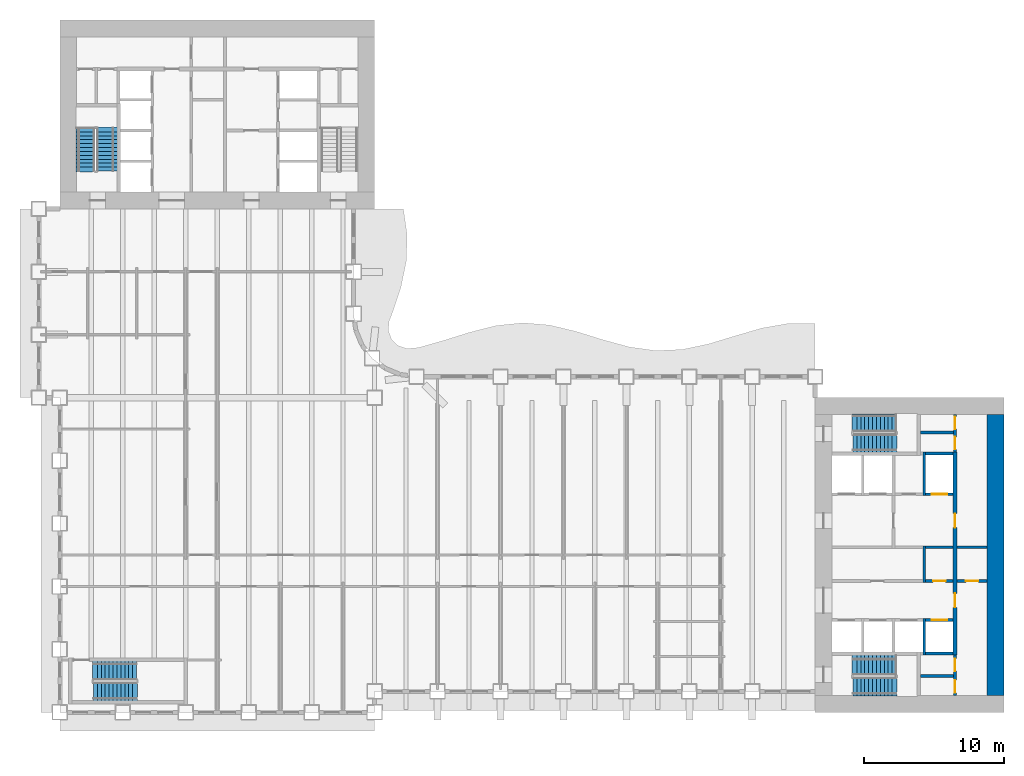
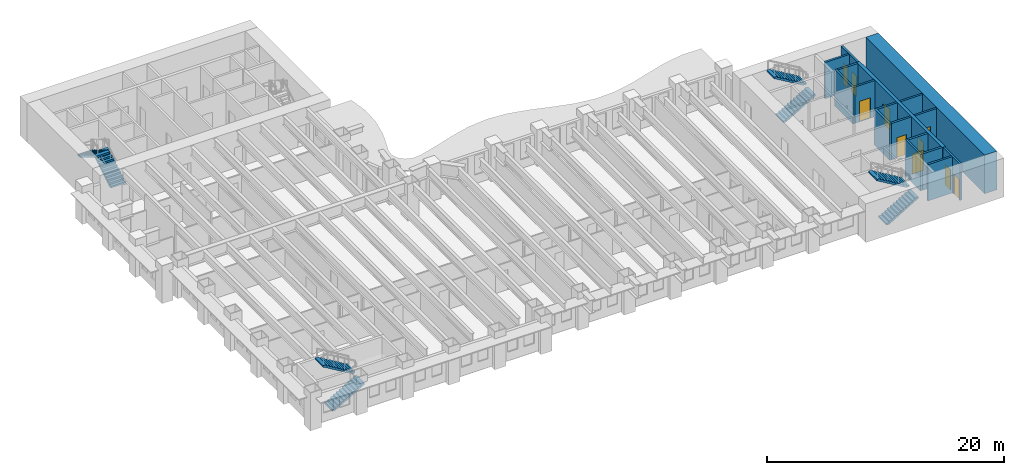
# One storey, part 9 of 16: 17 walls, 10 doors, 8 stair flights, 10 openings, 4 elements without a shape of their own.
"""IFC4 building model written with IfcOpenShell, lengths in metres."""

from ifc_helpers import new_model, si_unit, direction, frame, frame_2d, origin, place, context, subcontext, project, spatial, polyline, rectangle, outline, extrude, material, layer, layer_set, type_object, element, fill, aggregate, save


model = new_model("IFC4")

# Units and contexts
model_context = context("Model", 3, precision=1e-05, world=origin(), true_north=direction((0.0, 1.0)))
body_context = subcontext(model_context, "Body", "Model", "MODEL_VIEW")
ifc_project = project(units=[si_unit("LENGTHUNIT", "METRE"), si_unit("AREAUNIT", "SQUARE_METRE"), si_unit("VOLUMEUNIT", "CUBIC_METRE"), si_unit("PLANEANGLEUNIT", "RADIAN"), si_unit("MASSUNIT", "GRAM", prefix="KILO")], contexts=[model_context])

# Site, building, storey
site_placement = place(None, origin())
site = spatial("IfcSite", under=ifc_project, at=site_placement, CompositionType="ELEMENT")
building_placement = place(site_placement, origin())
building = spatial("IfcBuilding", under=site, at=building_placement, Name="Sennacour Bend Tower", CompositionType="ELEMENT")
storey_placement = place(building_placement, frame((0.0, 0.0, 73.0)))
storey = spatial("IfcBuildingStorey", under=building, at=storey_placement, Name="L16", CompositionType="ELEMENT", Elevation=73.0)

# Walls
ifc_material_1 = material(Name="Concrete C80/95", Category="concrete")
ifc_layer_1 = layer(ifc_material_1, 1.199951171875, Name="Concrete C80/95", Category="concrete")
ifc_layer_set_1 = layer_set([ifc_layer_1], Name="Concrete C80/95")
wall_type_1 = type_object("IfcWallType", Name="Core wall 1200 C80/95", PredefinedType="SHEAR", material=ifc_layer_set_1)
wall_1_placement = place(storey_placement, frame((66.89990234375, 1.199951171875, -0.14990234375), z_axis=(0.0, 0.0, 1.0), x_axis=(0.0, 1.0, 0.0)))
element("IfcWall", 1, at=wall_1_placement, inside=storey, type_object=wall_type_1, Name="Core A wall L16 E", PredefinedType="SHEAR", context=body_context, shape_type="SweptSolid", body=[
    extrude(rectangle(XDim=20.10009765625, YDim=1.199951171875, at=frame_2d((10.050048828125, 0.0))), origin(), (0.0, 0.0, 1.0), 4.0),
])
ifc_material_2 = material(Name="Fire-rated plasterboard partition on steel studs", Category="steel")
ifc_layer_2 = layer(ifc_material_2, 0.199951171875, Name="Fire-rated plasterboard partition on steel studs", Category="steel")
ifc_layer_set_2 = layer_set([ifc_layer_2], Name="Fire-rated plasterboard partition on steel studs")
wall_type_2 = type_object("IfcWallType", Name="Rated partition 200", PredefinedType="PARTITIONING", material=ifc_layer_set_2)
wall_2_placement = place(storey_placement, frame((61.800048828125, 9.300048828125, 0.0), z_axis=(0.0, 0.0, 1.0), x_axis=(0.0, 1.0, 0.0)))
element("IfcWall", 2, at=wall_2_placement, inside=storey, type_object=wall_type_2, Name="P-L16-W044", PredefinedType="PARTITIONING", context=body_context, shape_type="SweptSolid", body=[
    extrude(rectangle(XDim=2.599853515625, YDim=0.199951171875, at=frame_2d((1.2998046875, 0.0))), origin(), (0.0, 0.0, 1.0), 3.75),
])

# Wall, openings, doors
wall_3_placement = place(storey_placement, frame((64.0, 1.199951171875, 0.0), z_axis=(0.0, 0.0, 1.0), x_axis=(0.0, 1.0, 0.0)))
wall_3 = element("IfcWall", 3, at=wall_3_placement, inside=storey, type_object=wall_type_2, Name="P-L16-W046", PredefinedType="PARTITIONING", context=body_context, shape_type="SweptSolid", body=[
    extrude(rectangle(XDim=2.900146484375, YDim=0.199951171875, at=frame_2d((1.4501953125, 0.0))), origin(), (0.0, 0.0, 1.0), 3.75),
])
opening_1_placement = place(wall_3_placement, frame((0.199951171875, 0.0, 0.0)))
opening_1 = element("IfcOpeningElement", 4, at=opening_1_placement, cuts=wall_3, Name="Opening SV", PredefinedType="OPENING", context=body_context, shape_type="SweptSolid", body=[
    extrude(rectangle(XDim=0.89990234375, YDim=2.10009765625, at=frame_2d((0.449951171875, 1.050048828125))), frame((0.0, 0.10986328125, 0.0), z_axis=(0.0, -1.0, 0.0), x_axis=(1.0, 0.0, 0.0)), (0.0, 0.0, 1.0), 0.219970703125),
])
opening_2_placement = place(wall_3_placement, frame((1.75, 0.0, 0.0)))
opening_2 = element("IfcOpeningElement", 5, at=opening_2_placement, cuts=wall_3, Name="Opening WD", PredefinedType="OPENING", context=body_context, shape_type="SweptSolid", body=[
    extrude(rectangle(XDim=0.89990234375, YDim=2.10009765625, at=frame_2d((0.449951171875, 1.050048828125))), frame((0.0, 0.10986328125, 0.0), z_axis=(0.0, -1.0, 0.0), x_axis=(1.0, 0.0, 0.0)), (0.0, 0.0, 1.0), 0.219970703125),
])
ifc_material_3 = material(Name="Painted steel", Category="steel")
door_type_1 = type_object("IfcDoorType", Name="DR-SERVICE-900", OperationType="NOTDEFINED", PredefinedType="DOOR", material=ifc_material_3)
door_1_placement = place(opening_1_placement, origin())
door_1 = element("IfcDoor", 6, at=door_1_placement, inside=storey, type_object=door_type_1, Name="Door", OperationType="SINGLE_SWING_LEFT", OverallHeight=2.10009765625, OverallWidth=0.89990234375, PredefinedType="DOOR", context=body_context, shape_type="SweptSolid", body=[
    extrude(rectangle(XDim=0.89990234375, YDim=2.10009765625, at=frame_2d((0.449951171875, 1.050048828125))), frame((0.0, 0.02490234375, 0.0), z_axis=(0.0, -1.0, 0.0), x_axis=(1.0, 0.0, 0.0)), (0.0, 0.0, 1.0), 0.050048828125),
])
fill(opening_1, door_1)
ifc_material_4 = material(Name="Timber", Category="wood")
door_type_2 = type_object("IfcDoorType", Name="DR-WC-900", OperationType="NOTDEFINED", PredefinedType="DOOR", material=ifc_material_4)
door_2_placement = place(opening_2_placement, origin())
door_2 = element("IfcDoor", 7, at=door_2_placement, inside=storey, type_object=door_type_2, Name="Door", OperationType="SINGLE_SWING_RIGHT", OverallHeight=2.10009765625, OverallWidth=0.89990234375, PredefinedType="DOOR", context=body_context, shape_type="SweptSolid", body=[
    extrude(rectangle(XDim=0.89990234375, YDim=2.10009765625, at=frame_2d((0.449951171875, 1.050048828125))), frame((0.0, 0.02490234375, 0.0), z_axis=(0.0, -1.0, 0.0), x_axis=(1.0, 0.0, 0.0)), (0.0, 0.0, 1.0), 0.050048828125),
])
fill(opening_2, door_2)

wall_4_placement = place(storey_placement, frame((64.0, 18.60009765625, 0.0), z_axis=(0.0, 0.0, 1.0), x_axis=(0.0, 1.0, 0.0)))
wall_4 = element("IfcWall", 8, at=wall_4_placement, inside=storey, type_object=wall_type_2, Name="P-L16-W048", PredefinedType="PARTITIONING", context=body_context, shape_type="SweptSolid", body=[
    extrude(rectangle(XDim=2.699951171875, YDim=0.199951171875, at=frame_2d((1.35009765625, 0.0))), origin(), (0.0, 0.0, 1.0), 3.75),
])
opening_3_placement = place(wall_4_placement, frame((0.199951171875, 0.0, 0.0)))
opening_3 = element("IfcOpeningElement", 9, at=opening_3_placement, cuts=wall_4, Name="Opening SV", PredefinedType="OPENING", context=body_context, shape_type="SweptSolid", body=[
    extrude(rectangle(XDim=0.89990234375, YDim=2.10009765625, at=frame_2d((0.449951171875, 1.050048828125))), frame((0.0, 0.10986328125, 0.0), z_axis=(0.0, -1.0, 0.0), x_axis=(1.0, 0.0, 0.0)), (0.0, 0.0, 1.0), 0.219970703125),
])
opening_4_placement = place(wall_4_placement, frame((1.64990234375, 0.0, 0.0)))
opening_4 = element("IfcOpeningElement", 10, at=opening_4_placement, cuts=wall_4, Name="Opening SV", PredefinedType="OPENING", context=body_context, shape_type="SweptSolid", body=[
    extrude(rectangle(XDim=0.89990234375, YDim=2.10009765625, at=frame_2d((0.449951171875, 1.050048828125))), frame((0.0, 0.10986328125, 0.0), z_axis=(0.0, -1.0, 0.0), x_axis=(1.0, 0.0, 0.0)), (0.0, 0.0, 1.0), 0.219970703125),
])
door_3_placement = place(opening_3_placement, origin())
door_3 = element("IfcDoor", 11, at=door_3_placement, inside=storey, type_object=door_type_1, Name="Door", OperationType="SINGLE_SWING_LEFT", OverallHeight=2.10009765625, OverallWidth=0.89990234375, PredefinedType="DOOR", context=body_context, shape_type="SweptSolid", body=[
    extrude(rectangle(XDim=0.89990234375, YDim=2.10009765625, at=frame_2d((0.449951171875, 1.050048828125))), frame((0.0, 0.02490234375, 0.0), z_axis=(0.0, -1.0, 0.0), x_axis=(1.0, 0.0, 0.0)), (0.0, 0.0, 1.0), 0.050048828125),
])
fill(opening_3, door_3)
door_4_placement = place(opening_4_placement, origin())
door_4 = element("IfcDoor", 12, at=door_4_placement, inside=storey, type_object=door_type_1, Name="Door", OperationType="SINGLE_SWING_RIGHT", OverallHeight=2.10009765625, OverallWidth=0.89990234375, PredefinedType="DOOR", context=body_context, shape_type="SweptSolid", body=[
    extrude(rectangle(XDim=0.89990234375, YDim=2.10009765625, at=frame_2d((0.449951171875, 1.050048828125))), frame((0.0, 0.02490234375, 0.0), z_axis=(0.0, -1.0, 0.0), x_axis=(1.0, 0.0, 0.0)), (0.0, 0.0, 1.0), 0.050048828125),
])
fill(opening_4, door_4)

# Wall
wall_5_placement = place(storey_placement, frame((61.52490234375, 2.60009765625, 0.0), z_axis=(0.0, 0.0, 1.0), x_axis=(1.0, 0.0, 0.0)))
element("IfcWall", 13, at=wall_5_placement, inside=storey, type_object=wall_type_2, Name="P-L16-W052", PredefinedType="PARTITIONING", context=body_context, shape_type="SweptSolid", body=[
    extrude(rectangle(XDim=2.375, YDim=0.199951171875, at=frame_2d((1.1875, 0.0))), origin(), (0.0, 0.0, 1.0), 3.75),
])

# Wall, opening, door
wall_6_placement = place(storey_placement, frame((61.89990234375, 9.39990234375, 0.0), z_axis=(0.0, 0.0, 1.0), x_axis=(1.0, 0.0, 0.0)))
wall_6 = element("IfcWall", 14, at=wall_6_placement, inside=storey, type_object=wall_type_2, Name="P-L16-W062b", PredefinedType="PARTITIONING", context=body_context, shape_type="SweptSolid", body=[
    extrude(rectangle(XDim=1.9501953125, YDim=0.199951171875, at=frame_2d((0.97509765625, 0.0))), origin(), (0.0, 0.0, 1.0), 3.75),
])
opening_5_placement = place(wall_6_placement, frame((0.525146484375, 0.0, 0.0)))
opening_5 = element("IfcOpeningElement", 15, at=opening_5_placement, cuts=wall_6, Name="Opening SV", PredefinedType="OPENING", context=body_context, shape_type="SweptSolid", body=[
    extrude(rectangle(XDim=0.89990234375, YDim=2.10009765625, at=frame_2d((0.449951171875, 1.050048828125))), frame((0.0, 0.10986328125, 0.0), z_axis=(0.0, -1.0, 0.0), x_axis=(1.0, 0.0, 0.0)), (0.0, 0.0, 1.0), 0.219970703125),
])
door_5_placement = place(opening_5_placement, origin())
door_5 = element("IfcDoor", 16, at=door_5_placement, inside=storey, type_object=door_type_1, Name="Door", OperationType="SINGLE_SWING_LEFT", OverallHeight=2.10009765625, OverallWidth=0.89990234375, PredefinedType="DOOR", context=body_context, shape_type="SweptSolid", body=[
    extrude(rectangle(XDim=0.89990234375, YDim=2.10009765625, at=frame_2d((0.449951171875, 1.050048828125))), frame((0.0, 0.02490234375, 0.0), z_axis=(0.0, -1.0, 0.0), x_axis=(1.0, 0.0, 0.0)), (0.0, 0.0, 1.0), 0.050048828125),
])
fill(opening_5, door_5)

wall_7_placement = place(storey_placement, frame((64.14990234375, 9.39990234375, 0.0), z_axis=(0.0, 0.0, 1.0), x_axis=(1.0, 0.0, 0.0)))
wall_7 = element("IfcWall", 17, at=wall_7_placement, inside=storey, type_object=wall_type_2, Name="P-L16-W062c", PredefinedType="PARTITIONING", context=body_context, shape_type="SweptSolid", body=[
    extrude(rectangle(XDim=2.150146484375, YDim=0.199951171875, at=frame_2d((1.0751953125, 0.0))), origin(), (0.0, 0.0, 1.0), 3.75),
])
opening_6_placement = place(wall_7_placement, frame((0.625, 0.0, 0.0)))
opening_6 = element("IfcOpeningElement", 18, at=opening_6_placement, cuts=wall_7, Name="Opening SV", PredefinedType="OPENING", context=body_context, shape_type="SweptSolid", body=[
    extrude(rectangle(XDim=0.89990234375, YDim=2.10009765625, at=frame_2d((0.449951171875, 1.050048828125))), frame((0.0, 0.10986328125, 0.0), z_axis=(0.0, -1.0, 0.0), x_axis=(1.0, 0.0, 0.0)), (0.0, 0.0, 1.0), 0.219970703125),
])
door_6_placement = place(opening_6_placement, origin())
door_6 = element("IfcDoor", 19, at=door_6_placement, inside=storey, type_object=door_type_1, Name="Door", OperationType="SINGLE_SWING_LEFT", OverallHeight=2.10009765625, OverallWidth=0.89990234375, PredefinedType="DOOR", context=body_context, shape_type="SweptSolid", body=[
    extrude(rectangle(XDim=0.89990234375, YDim=2.10009765625, at=frame_2d((0.449951171875, 1.050048828125))), frame((0.0, 0.02490234375, 0.0), z_axis=(0.0, -1.0, 0.0), x_axis=(1.0, 0.0, 0.0)), (0.0, 0.0, 1.0), 0.050048828125),
])
fill(opening_6, door_6)

# Walls
wall_8_placement = place(storey_placement, frame((61.89990234375, 11.800048828125, 0.0), z_axis=(0.0, 0.0, 1.0), x_axis=(1.0, 0.0, 0.0)))
element("IfcWall", 20, at=wall_8_placement, inside=storey, type_object=wall_type_2, Name="P-L16-W064c", PredefinedType="PARTITIONING", context=body_context, shape_type="SweptSolid", body=[
    extrude(rectangle(XDim=1.9501953125, YDim=0.199951171875, at=frame_2d((0.97509765625, 0.0))), origin(), (0.0, 0.0, 1.0), 3.75),
])
wall_9_placement = place(storey_placement, frame((64.14990234375, 11.800048828125, 0.0), z_axis=(0.0, 0.0, 1.0), x_axis=(1.0, 0.0, 0.0)))
element("IfcWall", 21, at=wall_9_placement, inside=storey, type_object=wall_type_2, Name="P-L16-W064d", PredefinedType="PARTITIONING", context=body_context, shape_type="SweptSolid", body=[
    extrude(rectangle(XDim=2.150146484375, YDim=0.199951171875, at=frame_2d((1.0751953125, 0.0))), origin(), (0.0, 0.0, 1.0), 3.75),
])
wall_10_placement = place(storey_placement, frame((61.52490234375, 20.0, 0.0), z_axis=(0.0, 0.0, 1.0), x_axis=(1.0, 0.0, 0.0)))
element("IfcWall", 22, at=wall_10_placement, inside=storey, type_object=wall_type_2, Name="P-L16-W071", PredefinedType="PARTITIONING", context=body_context, shape_type="SweptSolid", body=[
    extrude(rectangle(XDim=2.375, YDim=0.199951171875, at=frame_2d((1.1875, 0.0))), origin(), (0.0, 0.0, 1.0), 3.75),
])
ifc_material_5 = material(Name="Concrete C50/60", Category="concrete")
ifc_layer_3 = layer(ifc_material_5, 0.199951171875, Name="Concrete C50/60", Category="concrete")
ifc_layer_set_3 = layer_set([ifc_layer_3], Name="Concrete C50/60")
wall_type_3 = type_object("IfcWallType", Name="Shaft wall 200", PredefinedType="SOLIDWALL", material=ifc_layer_set_3)
wall_11_placement = place(storey_placement, frame((61.800048828125, 4.10009765625, 0.0), z_axis=(0.0, 0.0, 1.0), x_axis=(0.0, 1.0, 0.0)))
element("IfcWall", 23, at=wall_11_placement, inside=storey, type_object=wall_type_3, Name="P-L16-W043", PredefinedType="SOLIDWALL", context=body_context, shape_type="SweptSolid", body=[
    extrude(rectangle(XDim=2.599853515625, YDim=0.199951171875, at=frame_2d((1.2998046875, 0.0))), origin(), (0.0, 0.0, 1.0), 3.75),
])
wall_12_placement = place(storey_placement, frame((61.800048828125, 15.5, 0.0), z_axis=(0.0, 0.0, 1.0), x_axis=(0.0, 1.0, 0.0)))
element("IfcWall", 24, at=wall_12_placement, inside=storey, type_object=wall_type_3, Name="P-L16-W045", PredefinedType="SOLIDWALL", context=body_context, shape_type="SweptSolid", body=[
    extrude(rectangle(XDim=3.10009765625, YDim=0.199951171875, at=frame_2d((1.550048828125, 0.0))), origin(), (0.0, 0.0, 1.0), 3.75),
])
wall_13_placement = place(storey_placement, frame((61.89990234375, 4.199951171875, 0.0), z_axis=(0.0, 0.0, 1.0), x_axis=(1.0, 0.0, 0.0)))
element("IfcWall", 25, at=wall_13_placement, inside=storey, type_object=wall_type_3, Name="P-L16-W058b", PredefinedType="SOLIDWALL", context=body_context, shape_type="SweptSolid", body=[
    extrude(rectangle(XDim=1.9501953125, YDim=0.199951171875, at=frame_2d((0.97509765625, 0.0))), origin(), (0.0, 0.0, 1.0), 3.75),
])

# Wall, opening, door
wall_14_placement = place(storey_placement, frame((61.89990234375, 6.60009765625, 0.0), z_axis=(0.0, 0.0, 1.0), x_axis=(1.0, 0.0, 0.0)))
wall_14 = element("IfcWall", 26, at=wall_14_placement, inside=storey, type_object=wall_type_3, Name="P-L16-W060d", PredefinedType="SOLIDWALL", context=body_context, shape_type="SweptSolid", body=[
    extrude(rectangle(XDim=1.9501953125, YDim=0.199951171875, at=frame_2d((0.97509765625, 0.0))), origin(), (0.0, 0.0, 1.0), 3.75),
])
opening_7_placement = place(wall_14_placement, frame((0.425048828125, 0.0, 0.011962890625)))
opening_7 = element("IfcOpeningElement", 27, at=opening_7_placement, cuts=wall_14, Name="Opening LD", PredefinedType="OPENING", context=body_context, shape_type="SweptSolid", body=[
    extrude(rectangle(XDim=1.10009765625, YDim=2.10009765625, at=frame_2d((0.550048828125, 1.050048828125))), frame((0.0, 0.10986328125, 0.0), z_axis=(0.0, -1.0, 0.0), x_axis=(1.0, 0.0, 0.0)), (0.0, 0.0, 1.0), 0.219970703125),
])
ifc_material_6 = material(Name="Stainless steel", Category="steel")
door_type_3 = type_object("IfcDoorType", Name="DR-LANDING-1100", OperationType="NOTDEFINED", PredefinedType="DOOR", material=ifc_material_6)
door_7_placement = place(opening_7_placement, origin())
door_7 = element("IfcDoor", 28, at=door_7_placement, inside=storey, type_object=door_type_3, Name="Lift landing door LA4", OperationType="SLIDING_TO_RIGHT", OverallHeight=2.10009765625, OverallWidth=1.10009765625, PredefinedType="DOOR", context=body_context, shape_type="SweptSolid", body=[
    extrude(rectangle(XDim=1.10009765625, YDim=2.10009765625, at=frame_2d((0.550048828125, 1.050048828125))), frame((0.0, 0.02490234375, 0.0), z_axis=(0.0, -1.0, 0.0), x_axis=(1.0, 0.0, 0.0)), (0.0, 0.0, 1.0), 0.050048828125),
])
fill(opening_7, door_7)

wall_15_placement = place(storey_placement, frame((61.89990234375, 15.60009765625, 0.0), z_axis=(0.0, 0.0, 1.0), x_axis=(1.0, 0.0, 0.0)))
wall_15 = element("IfcWall", 29, at=wall_15_placement, inside=storey, type_object=wall_type_3, Name="P-L16-W067", PredefinedType="SOLIDWALL", context=body_context, shape_type="SweptSolid", body=[
    extrude(rectangle(XDim=1.9501953125, YDim=0.199951171875, at=frame_2d((0.97509765625, 0.0))), origin(), (0.0, 0.0, 1.0), 3.75),
])
opening_8_placement = place(wall_15_placement, frame((0.425048828125, 0.0, 0.011962890625)))
opening_8 = element("IfcOpeningElement", 30, at=opening_8_placement, cuts=wall_15, Name="Opening LD", PredefinedType="OPENING", context=body_context, shape_type="SweptSolid", body=[
    extrude(rectangle(XDim=1.10009765625, YDim=2.10009765625, at=frame_2d((0.550048828125, 1.050048828125))), frame((0.0, 0.10986328125, 0.0), z_axis=(0.0, -1.0, 0.0), x_axis=(1.0, 0.0, 0.0)), (0.0, 0.0, 1.0), 0.219970703125),
])
door_8_placement = place(opening_8_placement, origin())
door_8 = element("IfcDoor", 31, at=door_8_placement, inside=storey, type_object=door_type_3, Name="Lift landing door LA5", OperationType="SLIDING_TO_LEFT", OverallHeight=2.10009765625, OverallWidth=1.10009765625, PredefinedType="DOOR", context=body_context, shape_type="SweptSolid", body=[
    extrude(rectangle(XDim=1.10009765625, YDim=2.10009765625, at=frame_2d((0.550048828125, 1.050048828125))), frame((0.0, 0.02490234375, 0.0), z_axis=(0.0, -1.0, 0.0), x_axis=(1.0, 0.0, 0.0)), (0.0, 0.0, 1.0), 0.050048828125),
])
fill(opening_8, door_8)

# Wall
wall_16_placement = place(storey_placement, frame((61.89990234375, 18.5, 0.0), z_axis=(0.0, 0.0, 1.0), x_axis=(1.0, 0.0, 0.0)))
element("IfcWall", 32, at=wall_16_placement, inside=storey, type_object=wall_type_3, Name="P-L16-W070", PredefinedType="SOLIDWALL", context=body_context, shape_type="SweptSolid", body=[
    extrude(rectangle(XDim=1.9501953125, YDim=0.199951171875, at=frame_2d((0.97509765625, 0.0))), origin(), (0.0, 0.0, 1.0), 3.75),
])

# Wall, openings, doors
ifc_material_7 = material(Name="Concrete C60/75", Category="concrete")
ifc_layer_4 = layer(ifc_material_7, 0.300048828125, Name="Concrete C60/75", Category="concrete")
ifc_layer_set_4 = layer_set([ifc_layer_4], Name="Concrete C60/75")
wall_type_4 = type_object("IfcWallType", Name="Spine wall 300", PredefinedType="SHEAR", material=ifc_layer_set_4)
wall_17_placement = place(storey_placement, frame((64.0, 4.10009765625, 0.0), z_axis=(0.0, 0.0, 1.0), x_axis=(0.0, 1.0, 0.0)))
wall_17 = element("IfcWall", 33, at=wall_17_placement, inside=storey, type_object=wall_type_4, Name="P-L16-W047", PredefinedType="SHEAR", context=body_context, shape_type="SweptSolid", body=[
    extrude(rectangle(XDim=14.5, YDim=0.300048828125, at=frame_2d((7.25, 0.0))), origin(), (0.0, 0.0, 1.0), 3.75),
])
opening_9_placement = place(wall_17_placement, frame((3.39990234375, 0.0, 0.0)))
opening_9 = element("IfcOpeningElement", 34, at=opening_9_placement, cuts=wall_17, Name="Opening CD2", PredefinedType="OPENING", context=body_context, shape_type="SweptSolid", body=[
    extrude(rectangle(XDim=1.0, YDim=2.10009765625, at=frame_2d((0.5, 1.050048828125))), frame((0.0, 0.16015625, 0.0), z_axis=(0.0, -1.0, 0.0), x_axis=(1.0, 0.0, 0.0)), (0.0, 0.0, 1.0), 0.320068359375),
])
opening_10_placement = place(wall_17_placement, frame((9.099853515625, 0.0, 0.0)))
opening_10 = element("IfcOpeningElement", 35, at=opening_10_placement, cuts=wall_17, Name="Opening CD2", PredefinedType="OPENING", context=body_context, shape_type="SweptSolid", body=[
    extrude(rectangle(XDim=1.0, YDim=2.10009765625, at=frame_2d((0.5, 1.050048828125))), frame((0.0, 0.16015625, 0.0), z_axis=(0.0, -1.0, 0.0), x_axis=(1.0, 0.0, 0.0)), (0.0, 0.0, 1.0), 0.320068359375),
])
door_type_4 = type_object("IfcDoorType", Name="DR-LOBBY-1000", OperationType="NOTDEFINED", PredefinedType="DOOR", material=ifc_material_3)
door_9_placement = place(opening_9_placement, origin())
door_9 = element("IfcDoor", 36, at=door_9_placement, inside=storey, type_object=door_type_4, Name="Door", OperationType="SINGLE_SWING_LEFT", OverallHeight=2.10009765625, OverallWidth=1.0, PredefinedType="DOOR", context=body_context, shape_type="SweptSolid", body=[
    extrude(rectangle(XDim=1.0, YDim=2.10009765625, at=frame_2d((0.5, 1.050048828125))), frame((0.0, 0.02490234375, 0.0), z_axis=(0.0, -1.0, 0.0), x_axis=(1.0, 0.0, 0.0)), (0.0, 0.0, 1.0), 0.050048828125),
])
fill(opening_9, door_9)
door_10_placement = place(opening_10_placement, origin())
door_10 = element("IfcDoor", 37, at=door_10_placement, inside=storey, type_object=door_type_4, Name="Door", OperationType="SINGLE_SWING_RIGHT", OverallHeight=2.10009765625, OverallWidth=1.0, PredefinedType="DOOR", context=body_context, shape_type="SweptSolid", body=[
    extrude(rectangle(XDim=1.0, YDim=2.10009765625, at=frame_2d((0.5, 1.050048828125))), frame((0.0, 0.02490234375, 0.0), z_axis=(0.0, -1.0, 0.0), x_axis=(1.0, 0.0, 0.0)), (0.0, 0.0, 1.0), 0.050048828125),
])
fill(opening_10, door_10)

# Stair, stair flights
ifc_material_8 = material(Name="Concrete C40/50", Category="concrete")
stair_type = type_object("IfcStairType", Name="ST-DOGLEG", PredefinedType="HALF_TURN_STAIR", material=ifc_material_8)
stair_1_placement = place(storey_placement, origin())
stair_1 = element("IfcStair", 38, at=stair_1_placement, inside=storey, type_object=stair_type, Name="L16 Exit stair A1", PredefinedType="HALF_TURN_STAIR")
stair_flight_type = type_object("IfcStairFlightType", Name="SFL-RC", PredefinedType="STRAIGHT", material=ifc_material_8)
stair_flight_1_placement = place(storey_placement, frame((56.699951171875, 1.8349609375, 0.0), z_axis=(0.0, 0.0, 1.0), x_axis=(1.0, 0.0, 0.0)))
stair_flight_1 = element("IfcStairFlight", 39, at=stair_flight_1_placement, type_object=stair_flight_type, Name="SA1 flight 1", NumberOfRisers=12, NumberOfTreads=11, PredefinedType="STRAIGHT", RiserHeight=0.166666667, TreadLength=0.28, context=body_context, shape_type="SweptSolid", body=[
    extrude(outline(polyline([(0.0, 0.0), (0.0, 0.166748046875), (0.280029296875, 0.166748046875), (0.280029296875, 0.333251953125), (0.56005859375, 0.333251953125), (0.56005859375, 0.5), (0.840087890625, 0.5), (0.840087890625, 0.666748046875), (1.1201171875, 0.666748046875), (1.1201171875, 0.833251953125), (1.39990234375, 0.833251953125), (1.39990234375, 1.0), (1.679931640625, 1.0), (1.679931640625, 1.166748046875), (1.9599609375, 1.166748046875), (1.9599609375, 1.333251953125), (2.239990234375, 1.333251953125), (2.239990234375, 1.5), (2.52001953125, 1.5), (2.52001953125, 1.666748046875), (2.800048828125, 1.666748046875), (2.800048828125, 1.833251953125), (3.080078125, 1.833251953125), (3.139892578125, 1.833251953125), (3.139892578125, 1.658935546875), (3.080078125, 1.658935546875), (0.29296875, 0.0), (0.0, 0.0)])), frame((0.0, 0.6650390625, 0.0), z_axis=(0.0, -1.0, 0.0), x_axis=(1.0, 0.0, 0.0)), (0.0, 0.0, 1.0), 1.330078125),
])
stair_flight_2_placement = place(storey_placement, frame((59.780029296875, 3.37744140625, 2.0), z_axis=(0.0, 0.0, 1.0), x_axis=(-1.0, 0.0, 0.0)))
stair_flight_2 = element("IfcStairFlight", 40, at=stair_flight_2_placement, type_object=stair_flight_type, Name="SA1 flight 2", NumberOfRisers=12, NumberOfTreads=11, PredefinedType="STRAIGHT", RiserHeight=0.166666667, TreadLength=0.28, context=body_context, shape_type="SweptSolid", body=[
    extrude(outline(polyline([(0.0, 0.0), (0.0, 0.166748046875), (0.280029296875, 0.166748046875), (0.280029296875, 0.333251953125), (0.56005859375, 0.333251953125), (0.56005859375, 0.5), (0.840087890625, 0.5), (0.840087890625, 0.666748046875), (1.1201171875, 0.666748046875), (1.1201171875, 0.833251953125), (1.39990234375, 0.833251953125), (1.39990234375, 1.0), (1.679931640625, 1.0), (1.679931640625, 1.166748046875), (1.9599609375, 1.166748046875), (1.9599609375, 1.333251953125), (2.239990234375, 1.333251953125), (2.239990234375, 1.5), (2.52001953125, 1.5), (2.52001953125, 1.666748046875), (2.800048828125, 1.666748046875), (2.800048828125, 1.833251953125), (3.080078125, 1.833251953125), (3.139892578125, 1.833251953125), (3.139892578125, 1.658935546875), (3.080078125, 1.658935546875), (0.29296875, 0.0), (0.0, 0.0)])), frame((0.0, 0.7275390625, 0.0), z_axis=(0.0, -1.0, 0.0), x_axis=(1.0, 0.0, 0.0)), (0.0, 0.0, 1.0), 1.455078125),
])
aggregate(stair_1, [stair_flight_1, stair_flight_2])

stair_2_placement = place(storey_placement, origin())
stair_2 = element("IfcStair", 41, at=stair_2_placement, inside=storey, type_object=stair_type, Name="L16 Exit stair A2", PredefinedType="HALF_TURN_STAIR")
stair_flight_3_placement = place(storey_placement, frame((56.699951171875, 19.24755859375, 0.0), z_axis=(0.0, 0.0, 1.0), x_axis=(1.0, 0.0, 0.0)))
stair_flight_3 = element("IfcStairFlight", 42, at=stair_flight_3_placement, type_object=stair_flight_type, Name="SA2 flight 1", NumberOfRisers=12, NumberOfTreads=11, PredefinedType="STRAIGHT", RiserHeight=0.166666667, TreadLength=0.28, context=body_context, shape_type="SweptSolid", body=[
    extrude(outline(polyline([(0.0, 0.0), (0.0, 0.166748046875), (0.280029296875, 0.166748046875), (0.280029296875, 0.333251953125), (0.56005859375, 0.333251953125), (0.56005859375, 0.5), (0.840087890625, 0.5), (0.840087890625, 0.666748046875), (1.1201171875, 0.666748046875), (1.1201171875, 0.833251953125), (1.39990234375, 0.833251953125), (1.39990234375, 1.0), (1.679931640625, 1.0), (1.679931640625, 1.166748046875), (1.9599609375, 1.166748046875), (1.9599609375, 1.333251953125), (2.239990234375, 1.333251953125), (2.239990234375, 1.5), (2.52001953125, 1.5), (2.52001953125, 1.666748046875), (2.800048828125, 1.666748046875), (2.800048828125, 1.833251953125), (3.080078125, 1.833251953125), (3.139892578125, 1.833251953125), (3.139892578125, 1.658935546875), (3.080078125, 1.658935546875), (0.29296875, 0.0), (0.0, 0.0)])), frame((0.0, 0.65234375, 0.0), z_axis=(0.0, -1.0, 0.0), x_axis=(1.0, 0.0, 0.0)), (0.0, 0.0, 1.0), 1.304931640625),
])
stair_flight_4_placement = place(storey_placement, frame((59.780029296875, 20.68994140625, 2.0), z_axis=(0.0, 0.0, 1.0), x_axis=(-1.0, 0.0, 0.0)))
stair_flight_4 = element("IfcStairFlight", 43, at=stair_flight_4_placement, type_object=stair_flight_type, Name="SA2 flight 2", NumberOfRisers=12, NumberOfTreads=11, PredefinedType="STRAIGHT", RiserHeight=0.166666667, TreadLength=0.28, context=body_context, shape_type="SweptSolid", body=[
    extrude(outline(polyline([(0.0, 0.0), (0.0, 0.166748046875), (0.280029296875, 0.166748046875), (0.280029296875, 0.333251953125), (0.56005859375, 0.333251953125), (0.56005859375, 0.5), (0.840087890625, 0.5), (0.840087890625, 0.666748046875), (1.1201171875, 0.666748046875), (1.1201171875, 0.833251953125), (1.39990234375, 0.833251953125), (1.39990234375, 1.0), (1.679931640625, 1.0), (1.679931640625, 1.166748046875), (1.9599609375, 1.166748046875), (1.9599609375, 1.333251953125), (2.239990234375, 1.333251953125), (2.239990234375, 1.5), (2.52001953125, 1.5), (2.52001953125, 1.666748046875), (2.800048828125, 1.666748046875), (2.800048828125, 1.833251953125), (3.080078125, 1.833251953125), (3.139892578125, 1.833251953125), (3.139892578125, 1.658935546875), (3.080078125, 1.658935546875), (0.29296875, 0.0), (0.0, 0.0)])), frame((0.0, 0.64013671875, 0.0), z_axis=(0.0, -1.0, 0.0), x_axis=(1.0, 0.0, 0.0)), (0.0, 0.0, 1.0), 1.280029296875),
])
aggregate(stair_2, [stair_flight_3, stair_flight_4])

stair_3_placement = place(storey_placement, origin())
stair_3 = element("IfcStair", 44, at=stair_3_placement, inside=storey, type_object=stair_type, Name="L16 Exit stair B1", PredefinedType="HALF_TURN_STAIR")
stair_flight_5_placement = place(storey_placement, frame((3.37744140625, 38.699951171875, 0.0), z_axis=(0.0, 0.0, 1.0), x_axis=(0.0, 1.0, 0.0)))
stair_flight_5 = element("IfcStairFlight", 45, at=stair_flight_5_placement, type_object=stair_flight_type, Name="SB1 flight 1", NumberOfRisers=12, NumberOfTreads=11, PredefinedType="STRAIGHT", RiserHeight=0.166666667, TreadLength=0.28, context=body_context, shape_type="SweptSolid", body=[
    extrude(outline(polyline([(0.0, 0.0), (0.0, 0.166748046875), (0.280029296875, 0.166748046875), (0.280029296875, 0.333251953125), (0.56005859375, 0.333251953125), (0.56005859375, 0.5), (0.840087890625, 0.5), (0.840087890625, 0.666748046875), (1.1201171875, 0.666748046875), (1.1201171875, 0.833251953125), (1.39990234375, 0.833251953125), (1.39990234375, 1.0), (1.679931640625, 1.0), (1.679931640625, 1.166748046875), (1.9599609375, 1.166748046875), (1.9599609375, 1.333251953125), (2.239990234375, 1.333251953125), (2.239990234375, 1.5), (2.52001953125, 1.5), (2.52001953125, 1.666748046875), (2.800048828125, 1.666748046875), (2.800048828125, 1.833251953125), (3.080078125, 1.833251953125), (3.139892578125, 1.833251953125), (3.139892578125, 1.658935546875), (3.080078125, 1.658935546875), (0.29296875, 0.0), (0.0, 0.0)])), frame((0.0, 0.7275390625, 0.0), z_axis=(0.0, -1.0, 0.0), x_axis=(1.0, 0.0, 0.0)), (0.0, 0.0, 1.0), 1.455078125),
])
stair_flight_6_placement = place(storey_placement, frame((1.8349609375, 41.780029296875, 2.0), z_axis=(0.0, 0.0, 1.0), x_axis=(0.0, -1.0, 0.0)))
stair_flight_6 = element("IfcStairFlight", 46, at=stair_flight_6_placement, type_object=stair_flight_type, Name="SB1 flight 2", NumberOfRisers=12, NumberOfTreads=11, PredefinedType="STRAIGHT", RiserHeight=0.166666667, TreadLength=0.28, context=body_context, shape_type="SweptSolid", body=[
    extrude(outline(polyline([(0.0, 0.0), (0.0, 0.166748046875), (0.280029296875, 0.166748046875), (0.280029296875, 0.333251953125), (0.56005859375, 0.333251953125), (0.56005859375, 0.5), (0.840087890625, 0.5), (0.840087890625, 0.666748046875), (1.1201171875, 0.666748046875), (1.1201171875, 0.833251953125), (1.39990234375, 0.833251953125), (1.39990234375, 1.0), (1.679931640625, 1.0), (1.679931640625, 1.166748046875), (1.9599609375, 1.166748046875), (1.9599609375, 1.333251953125), (2.239990234375, 1.333251953125), (2.239990234375, 1.5), (2.52001953125, 1.5), (2.52001953125, 1.666748046875), (2.800048828125, 1.666748046875), (2.800048828125, 1.833251953125), (3.080078125, 1.833251953125), (3.139892578125, 1.833251953125), (3.139892578125, 1.658935546875), (3.080078125, 1.658935546875), (0.29296875, 0.0), (0.0, 0.0)])), frame((0.0, 0.6650390625, 0.0), z_axis=(0.0, -1.0, 0.0), x_axis=(1.0, 0.0, 0.0)), (0.0, 0.0, 1.0), 1.330078125),
])
aggregate(stair_3, [stair_flight_5, stair_flight_6])

stair_4_placement = place(storey_placement, origin())
stair_4 = element("IfcStair", 47, at=stair_4_placement, inside=storey, type_object=stair_type, Name="L16 Exit stair K1", PredefinedType="HALF_TURN_STAIR")
stair_flight_7_placement = place(storey_placement, frame((2.39990234375, 1.485107421875, 0.0), z_axis=(0.0, 0.0, 1.0), x_axis=(1.0, 0.0, 0.0)))
stair_flight_7 = element("IfcStairFlight", 48, at=stair_flight_7_placement, type_object=stair_flight_type, Name="SK1 flight 1", NumberOfRisers=12, NumberOfTreads=11, PredefinedType="STRAIGHT", RiserHeight=0.166666667, TreadLength=0.28, context=body_context, shape_type="SweptSolid", body=[
    extrude(outline(polyline([(0.0, 0.0), (0.0, 0.166748046875), (0.280029296875, 0.166748046875), (0.280029296875, 0.333251953125), (0.56005859375, 0.333251953125), (0.56005859375, 0.5), (0.840087890625, 0.5), (0.840087890625, 0.666748046875), (1.1201171875, 0.666748046875), (1.1201171875, 0.833251953125), (1.39990234375, 0.833251953125), (1.39990234375, 1.0), (1.679931640625, 1.0), (1.679931640625, 1.166748046875), (1.9599609375, 1.166748046875), (1.9599609375, 1.333251953125), (2.239990234375, 1.333251953125), (2.239990234375, 1.5), (2.52001953125, 1.5), (2.52001953125, 1.666748046875), (2.800048828125, 1.666748046875), (2.800048828125, 1.833251953125), (3.080078125, 1.833251953125), (3.139892578125, 1.833251953125), (3.139892578125, 1.658935546875), (3.080078125, 1.658935546875), (0.29296875, 0.0), (0.0, 0.0)])), frame((0.0, 0.6650390625, 0.0), z_axis=(0.0, -1.0, 0.0), x_axis=(1.0, 0.0, 0.0)), (0.0, 0.0, 1.0), 1.330078125),
])
stair_flight_8_placement = place(storey_placement, frame((5.47998046875, 2.9775390625, 2.0), z_axis=(0.0, 0.0, 1.0), x_axis=(-1.0, 0.0, 0.0)))
stair_flight_8 = element("IfcStairFlight", 49, at=stair_flight_8_placement, type_object=stair_flight_type, Name="SK1 flight 2", NumberOfRisers=12, NumberOfTreads=11, PredefinedType="STRAIGHT", RiserHeight=0.166666667, TreadLength=0.28, context=body_context, shape_type="SweptSolid", body=[
    extrude(outline(polyline([(0.0, 0.0), (0.0, 0.166748046875), (0.280029296875, 0.166748046875), (0.280029296875, 0.333251953125), (0.56005859375, 0.333251953125), (0.56005859375, 0.5), (0.840087890625, 0.5), (0.840087890625, 0.666748046875), (1.1201171875, 0.666748046875), (1.1201171875, 0.833251953125), (1.39990234375, 0.833251953125), (1.39990234375, 1.0), (1.679931640625, 1.0), (1.679931640625, 1.166748046875), (1.9599609375, 1.166748046875), (1.9599609375, 1.333251953125), (2.239990234375, 1.333251953125), (2.239990234375, 1.5), (2.52001953125, 1.5), (2.52001953125, 1.666748046875), (2.800048828125, 1.666748046875), (2.800048828125, 1.833251953125), (3.080078125, 1.833251953125), (3.139892578125, 1.833251953125), (3.139892578125, 1.658935546875), (3.080078125, 1.658935546875), (0.29296875, 0.0), (0.0, 0.0)])), frame((0.0, 0.677490234375, 0.0), z_axis=(0.0, -1.0, 0.0), x_axis=(1.0, 0.0, 0.0)), (0.0, 0.0, 1.0), 1.35498046875),
])
aggregate(stair_4, [stair_flight_7, stair_flight_8])

save(model, "model.ifc")
